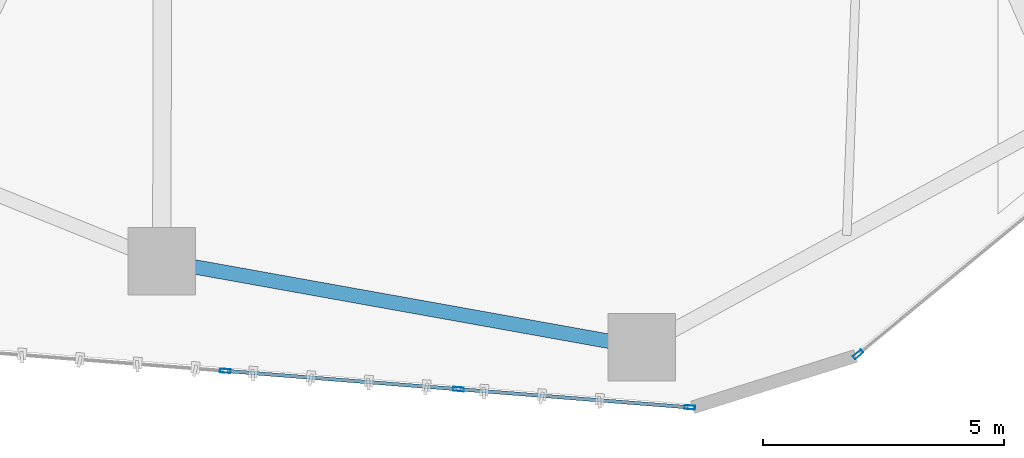
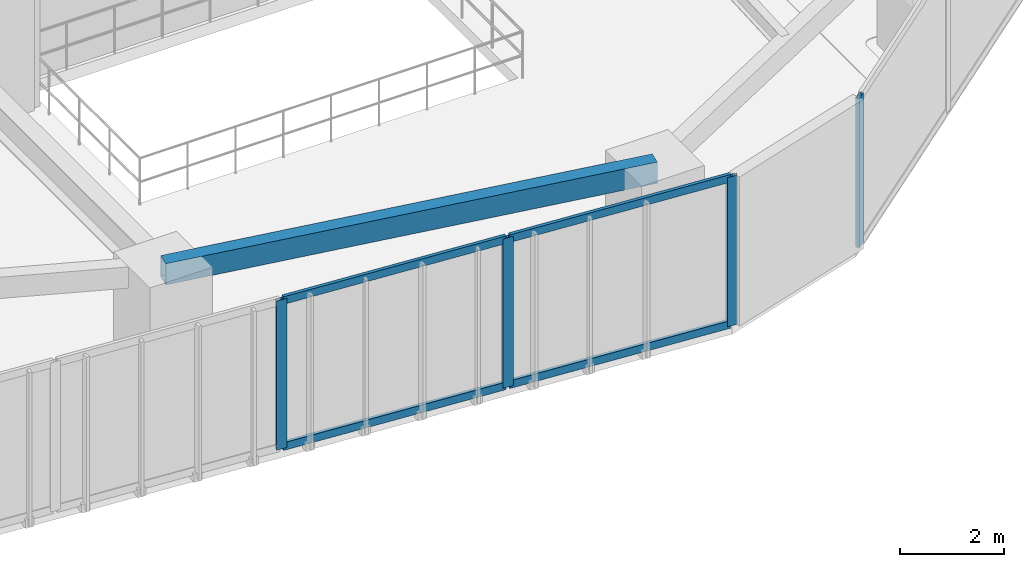
# One storey, part 5 of 23: 8 members, 1 beam, 2 elements without a shape of their own.
"""IFC4 building model written with IfcOpenShell, lengths in metres."""

from ifc_helpers import new_model, si_unit, direction, frame, origin, origin_2d, place, context, subcontext, project, spatial, hollow_rectangle, extrude, source, transform, mapped, material, layer, layer_set, material_profile, profile_set, type_object, type_shapes, element, aggregate, save


model = new_model("IFC4")

# Units and contexts
model_context = context("Model", 3, precision=1e-05, world=origin(), true_north=direction((0.0, 1.0)))
body_context = subcontext(model_context, "Body", "Model", "MODEL_VIEW")
ifc_project = project(units=[si_unit("LENGTHUNIT", "METRE"), si_unit("AREAUNIT", "SQUARE_METRE"), si_unit("VOLUMEUNIT", "CUBIC_METRE"), si_unit("PLANEANGLEUNIT", "RADIAN"), si_unit("MASSUNIT", "GRAM", prefix="KILO")], contexts=[model_context])

# Site, building, storey
site_placement = place(None, origin())
site = spatial("IfcSite", under=ifc_project, at=site_placement, CompositionType="ELEMENT")
building_placement = place(site_placement, origin())
building = spatial("IfcBuilding", under=site, at=building_placement, Name="Talar Marvaseh", CompositionType="ELEMENT")
storey_placement = place(building_placement, frame((0.0, 0.0, 77.199951171875)))
storey = spatial("IfcBuildingStorey", under=building, at=storey_placement, Name="L19", CompositionType="ELEMENT", Elevation=77.199951171875)

# Beam
ifc_material_1 = material(Name="Steel S355", Category="steel")
ifc_material_profile_1 = material_profile(ifc_material_1, hollow_rectangle(XDim=0.300048828125, YDim=0.5, WallThickness=0.02001953125, at=origin_2d()), Name="RHS500x300x20")
ifc_profile_set_1 = profile_set([ifc_material_profile_1], Name="Steel S355")
beam_type = type_object("IfcBeamType", Name="Zone 1 Perimeter Spandrel Beam RHS500x300x20", PredefinedType="SPANDREL", material=ifc_profile_set_1)
beam_placement = place(storey_placement, frame((28.625, 11.195068359375, 3.27001953125), z_axis=(-0.984279934962, 0.176615428632, 0.0), x_axis=(-0.176615428632, -0.984279934962, 0.0)))
element("IfcBeam", 1, at=beam_placement, inside=storey, type_object=beam_type, Name="L19 Zone 1 Perimeter Spandrel Beam RHS500x300x20", PredefinedType="SPANDREL", context=body_context, shape_type="SweptSolid", body=[
    extrude(hollow_rectangle(XDim=0.300048828125, YDim=0.5, WallThickness=0.02001953125, at=origin_2d()), origin(), (0.0, 0.0, 1.0), 10.1005859375),
])

# Curtain wall, member
ifc_material_2 = material(Name="Architectural Aluminium", Category="aluminium")
ifc_layer = layer(ifc_material_2, 0.219970703125)
ifc_layer_set = layer_set([ifc_layer], Name="Architectural Aluminium")
curtain_wall_type = type_object("IfcCurtainWallType", Name="Unitised Low-E Museum Curtain Wall Z1", PredefinedType="NOTDEFINED", material=ifc_layer_set)
curtain_wall_1_placement = place(storey_placement, origin())
curtain_wall_1 = element("IfcCurtainWall", 2, at=curtain_wall_1_placement, inside=storey, type_object=curtain_wall_type, Name="L19 Unitised Low-E Museum Curtain Wall Z1", PredefinedType="NOTDEFINED")
ifc_material_profile_2 = material_profile(ifc_material_2, hollow_rectangle(XDim=0.080078125, YDim=0.219970703125, WallThickness=0.0048828125, at=origin_2d()), Name="RHS220x80x5")
ifc_profile_set_2 = profile_set([ifc_material_profile_2], Name="Architectural Aluminium")
member_type_1 = type_object("IfcMemberType", Name="Unitised Curtain Wall Heavy Mullion RHS220x80x5", PredefinedType="MULLION", material=ifc_profile_set_2)
shared_shape_1 = source(origin(), body_context, "Body", "SweptSolid", [
    extrude(hollow_rectangle(XDim=0.080078125, YDim=0.219970703125, WallThickness=0.0048828125, at=origin_2d()), origin(), (0.0, 0.0, 1.0), 3.52001953125),
])
type_shapes(member_type_1, [shared_shape_1])
member_1_placement = place(storey_placement, frame((33.103515625, 11.0478515625, 0.0), z_axis=(0.0, 0.0, 1.0), x_axis=(0.635959254001, -0.771722636217, 0.0)))
member_1 = element("IfcMember", 3, at=member_1_placement, type_object=member_type_1, Name="CW-Z1 mullion 6", PredefinedType="MULLION", context=body_context, shape_type="MappedRepresentation", body=[
    mapped(shared_shape_1, transform((0.0, 0.0, 0.0), x_axis=(1.0, 0.0, 0.0), y_axis=(0.0, 1.0, 0.0), z_axis=(0.0, 0.0, 1.0), scale=1.0)),
])
aggregate(curtain_wall_1, [member_1])

# Curtain wall, members
curtain_wall_2_placement = place(storey_placement, origin())
curtain_wall_2 = element("IfcCurtainWall", 4, at=curtain_wall_2_placement, inside=storey, type_object=curtain_wall_type, Name="L19 Unitised Low-E Museum Curtain Wall Z1", PredefinedType="NOTDEFINED")
member_2_placement = place(storey_placement, frame((29.61767578125, 9.94873046875, 0.0), z_axis=(0.0, 0.0, 1.0), x_axis=(-0.078306193639, -0.99692935559, 0.0)))
member_2 = element("IfcMember", 5, at=member_2_placement, type_object=member_type_1, Name="CW-Z1 mullion 1", PredefinedType="MULLION", context=body_context, shape_type="MappedRepresentation", body=[
    mapped(shared_shape_1, transform((0.0, 0.0, 0.0), x_axis=(1.0, 0.0, 0.0), y_axis=(0.0, 1.0, 0.0), z_axis=(0.0, 0.0, 1.0), scale=1.0)),
])
member_3_placement = place(storey_placement, frame((24.8271484375, 10.3251953125, 0.0), z_axis=(0.0, 0.0, 1.0), x_axis=(-0.078306193639, -0.99692935559, 0.0)))
member_3 = element("IfcMember", 6, at=member_3_placement, type_object=member_type_1, Name="CW-Z1 mullion 2", PredefinedType="MULLION", context=body_context, shape_type="MappedRepresentation", body=[
    mapped(shared_shape_1, transform((0.0, 0.0, 0.0), x_axis=(1.0, 0.0, 0.0), y_axis=(0.0, 1.0, 0.0), z_axis=(0.0, 0.0, 1.0), scale=1.0)),
])
member_4_placement = place(storey_placement, frame((19.99658203125, 10.70458984375, 0.0), z_axis=(0.0, 0.0, 1.0), x_axis=(-0.078306193639, -0.99692935559, 0.0)))
member_4 = element("IfcMember", 7, at=member_4_placement, type_object=member_type_1, Name="CW-Z1 mullion 3", PredefinedType="MULLION", context=body_context, shape_type="MappedRepresentation", body=[
    mapped(shared_shape_1, transform((0.0, 0.0, 0.0), x_axis=(1.0, 0.0, 0.0), y_axis=(0.0, 1.0, 0.0), z_axis=(0.0, 0.0, 1.0), scale=1.0)),
])
ifc_material_profile_3 = material_profile(ifc_material_2, hollow_rectangle(XDim=0.074951171875, YDim=0.179931640625, WallThickness=0.0048828125, at=origin_2d()), Name="RHS180x75x5")
ifc_profile_set_3 = profile_set([ifc_material_profile_3], Name="Architectural Aluminium")
member_type_2 = type_object("IfcMemberType", Name="Unitised Curtain Wall Transom RHS180x75x5", PredefinedType="USERDEFINED", material=ifc_profile_set_3)
shared_shape_2 = source(origin(), body_context, "Body", "SweptSolid", [
    extrude(hollow_rectangle(XDim=0.074951171875, YDim=0.179931640625, WallThickness=0.0048828125, at=origin_2d()), origin(), (0.0, 0.0, 1.0), 4.765380859375),
])
member_5_placement = place(storey_placement, frame((24.787109375, 10.328369140625, 0.03759765625), z_axis=(-0.996931169331, 0.078283099169, 0.0), x_axis=(-0.078283099169, -0.996931169331, 0.0)))
member_5 = element("IfcMember", 8, at=member_5_placement, type_object=member_type_2, Name="CW-Z1 transom 2.1", ObjectType="TRANSOM", PredefinedType="USERDEFINED", context=body_context, shape_type="MappedRepresentation", body=[
    mapped(shared_shape_2, transform((0.0, 0.0, 0.0), x_axis=(1.0, 0.0, 0.0), y_axis=(0.0, 1.0, 0.0), z_axis=(0.0, 0.0, 1.0), scale=1.0)),
])
member_6_placement = place(storey_placement, frame((24.787109375, 10.328369140625, 3.482666015625), z_axis=(-0.996931169331, 0.078283099169, 0.0), x_axis=(-0.078283099169, -0.996931169331, 0.0)))
member_6 = element("IfcMember", 9, at=member_6_placement, type_object=member_type_2, Name="CW-Z1 transom 2.2", ObjectType="TRANSOM", PredefinedType="USERDEFINED", context=body_context, shape_type="MappedRepresentation", body=[
    mapped(shared_shape_2, transform((0.0, 0.0, 0.0), x_axis=(1.0, 0.0, 0.0), y_axis=(0.0, 1.0, 0.0), z_axis=(0.0, 0.0, 1.0), scale=1.0)),
])
shared_shape_3 = source(origin(), body_context, "Body", "SweptSolid", [
    extrude(hollow_rectangle(XDim=0.074951171875, YDim=0.179931640625, WallThickness=0.0048828125, at=origin_2d()), origin(), (0.0, 0.0, 1.0), 4.72509765625),
])
type_shapes(member_type_2, [shared_shape_2, shared_shape_3])
member_7_placement = place(storey_placement, frame((29.57763671875, 9.951904296875, 0.03759765625), z_axis=(-0.996927628167, 0.078328182654, 0.0), x_axis=(-0.078328182654, -0.996927628167, 0.0)))
member_7 = element("IfcMember", 10, at=member_7_placement, type_object=member_type_2, Name="CW-Z1 transom 1.1", ObjectType="TRANSOM", PredefinedType="USERDEFINED", context=body_context, shape_type="MappedRepresentation", body=[
    mapped(shared_shape_3, transform((0.0, 0.0, 0.0), x_axis=(1.0, 0.0, 0.0), y_axis=(0.0, 1.0, 0.0), z_axis=(0.0, 0.0, 1.0), scale=1.0)),
])
member_8_placement = place(storey_placement, frame((29.57763671875, 9.951904296875, 3.482666015625), z_axis=(-0.996927628167, 0.078328182654, 0.0), x_axis=(-0.078328182654, -0.996927628167, 0.0)))
member_8 = element("IfcMember", 11, at=member_8_placement, type_object=member_type_2, Name="CW-Z1 transom 1.2", ObjectType="TRANSOM", PredefinedType="USERDEFINED", context=body_context, shape_type="MappedRepresentation", body=[
    mapped(shared_shape_3, transform((0.0, 0.0, 0.0), x_axis=(1.0, 0.0, 0.0), y_axis=(0.0, 1.0, 0.0), z_axis=(0.0, 0.0, 1.0), scale=1.0)),
])
aggregate(curtain_wall_2, [member_2, member_3, member_4, member_7, member_8, member_5, member_6])

save(model, "model.ifc")
